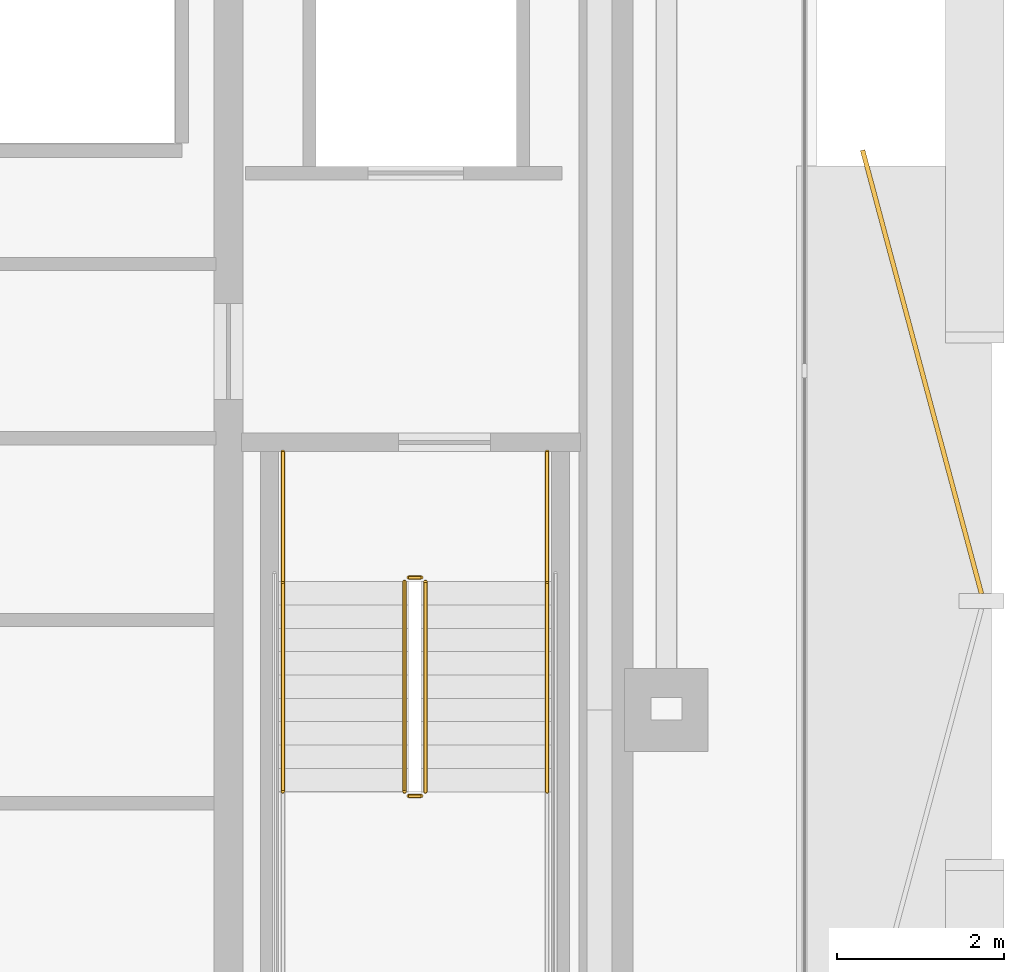
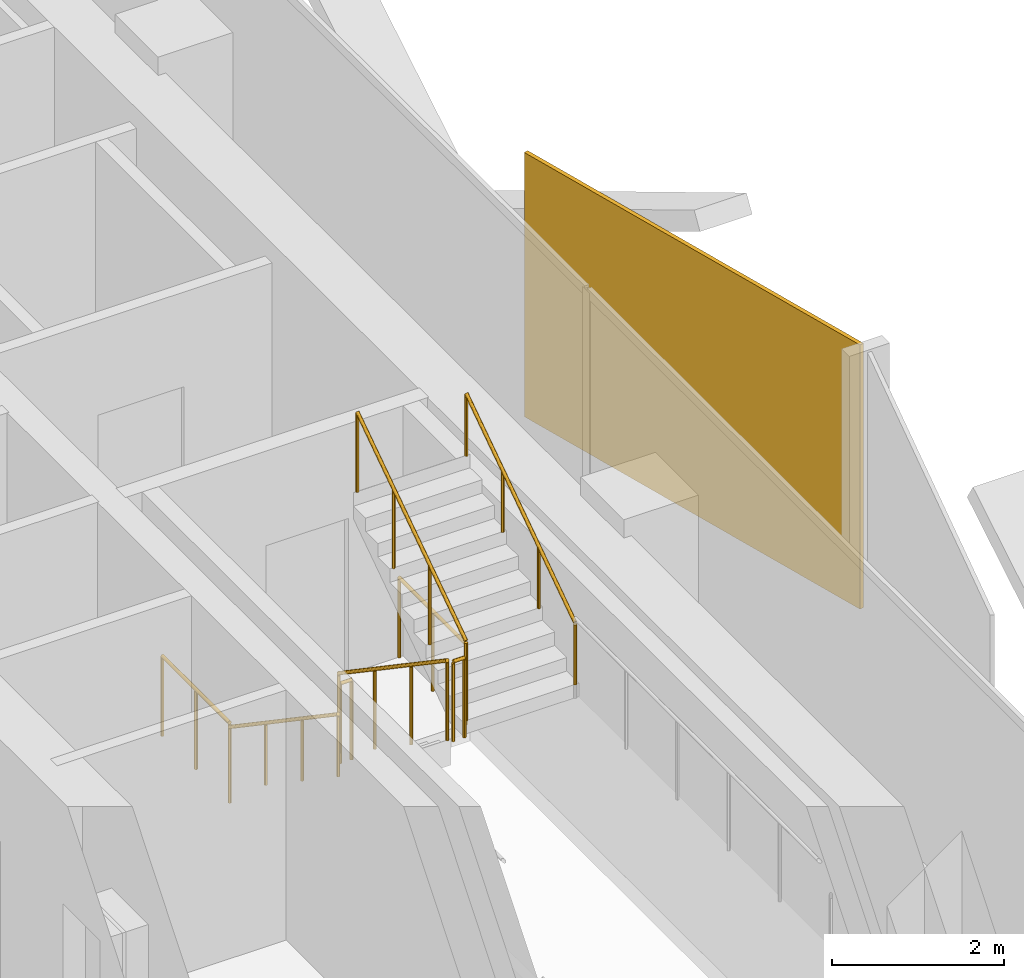
# One storey, part 14 of 16: 8 railings, 1 covering.
"""IFC4 building model written with IfcOpenShell, lengths in metres."""

from ifc_helpers import new_model, si_unit, direction, frame, origin, origin_2d, place, context, subcontext, project, spatial, rectangle, circle, extrude, material, layer, layer_set, type_object, element, save


model = new_model("IFC4")

# Units and contexts
model_context = context("Model", 3, precision=1e-05, world=origin(), true_north=direction((0.0, 1.0)))
body_context = subcontext(model_context, "Body", "Model", "MODEL_VIEW")
ifc_project = project(units=[si_unit("LENGTHUNIT", "METRE"), si_unit("AREAUNIT", "SQUARE_METRE"), si_unit("VOLUMEUNIT", "CUBIC_METRE"), si_unit("PLANEANGLEUNIT", "RADIAN"), si_unit("MASSUNIT", "GRAM", prefix="KILO")], contexts=[model_context])

# Site, building, storey
site_placement = place(None, origin())
site = spatial("IfcSite", under=ifc_project, at=site_placement, CompositionType="ELEMENT")
building_placement = place(site_placement, origin())
building = spatial("IfcBuilding", under=site, at=building_placement, Name="Khairoan Windgate Tower", CompositionType="ELEMENT")
storey_placement = place(building_placement, frame((0.0, 0.0, 184.0)))
storey = spatial("IfcBuildingStorey", under=building, at=storey_placement, Name="L42", CompositionType="ELEMENT", Elevation=184.0)

# Covering
ifc_material_1 = material(Name="Anodised Bronze Aluminium 6063-T6", Category="aluminium")
ifc_layer = layer(ifc_material_1, 0.054931640625, Name="Anodised Bronze Aluminium 6063-T6")
ifc_layer_set = layer_set([ifc_layer], Name="Anodised Bronze Aluminium 6063-T6")
covering_type = type_object("IfcCoveringType", Name="Perforated Bronze-Ceramic Folded Solar Screen Cladding BSC-1", PredefinedType="CLADDING", material=ifc_layer_set)
covering_placement = place(storey_placement, frame((23.8671875, -6.74560546875, -0.10009765625), z_axis=(0.0, 0.0, 1.0), x_axis=(0.258819045103, -0.965925826289, 0.0)))
element("IfcCovering", 1, at=covering_placement, inside=storey, type_object=covering_type, Name="L42 Folded Bronze Solar Screen Facet 280L", PredefinedType="CLADDING", context=body_context, shape_type="SweptSolid", body=[
    extrude(rectangle(XDim=5.507080078125, YDim=0.054931640625, at=origin_2d()), origin(), (0.0, 0.0, 1.0), 3.739990234375),
])

# Railings
ifc_material_2 = material(Name="Anodised Bronze Aluminium 6063-T6", Category="aluminium")
railing_type_1 = type_object("IfcRailingType", Name="Stair Wall Handrail SHR-900", PredefinedType="HANDRAIL", material=ifc_material_2)
railing_1_placement = place(storey_placement, frame((16.199951171875, -9.260009765625, 0.18994140625)))
element("IfcRailing", 2, at=railing_1_placement, inside=storey, type_object=railing_type_1, Name="L42 ST1 stair handrail 1", PredefinedType="HANDRAIL", context=body_context, shape_type="SweptSolid", body=[
    extrude(circle(Radius=0.02392578125, at=origin_2d()), frame((0.0, 0.0, 0.8759765625), z_axis=(0.0, -0.827483756001, 0.561489655786), x_axis=(1.0, 0.0, 0.0)), (0.0, 0.0, 1.0), 3.04541015625),
    extrude(circle(Radius=0.02099609375, at=origin_2d()), origin(), (0.0, 0.0, 1.0), 0.851806640625),
    extrude(circle(Radius=0.02099609375, at=origin_2d()), frame((0.0, -0.840087890625, 0.570068359375)), (0.0, 0.0, 1.0), 0.851806640625),
    extrude(circle(Radius=0.02099609375, at=origin_2d()), frame((0.0, -1.679931640625, 1.139892578125)), (0.0, 0.0, 1.0), 0.851806640625),
    extrude(circle(Radius=0.02099609375, at=origin_2d()), frame((0.0, -2.52001953125, 1.7099609375)), (0.0, 0.0, 1.0), 0.851806640625),
])
railing_2_placement = place(storey_placement, frame((19.3701171875, -11.780029296875, 2.090087890625)))
element("IfcRailing", 3, at=railing_2_placement, inside=storey, type_object=railing_type_1, Name="L42 ST1 stair handrail 2", PredefinedType="HANDRAIL", context=body_context, shape_type="SweptSolid", body=[
    extrude(circle(Radius=0.02392578125, at=origin_2d()), frame((0.0, 0.0, 0.8759765625), z_axis=(0.0, 0.827483756001, 0.561489655786), x_axis=(-1.0, 0.0, 0.0)), (0.0, 0.0, 1.0), 3.04541015625),
    extrude(circle(Radius=0.02099609375, at=origin_2d()), origin(), (0.0, 0.0, 1.0), 0.851806640625),
    extrude(circle(Radius=0.02099609375, at=origin_2d()), frame((0.0, 0.840087890625, 0.570068359375)), (0.0, 0.0, 1.0), 0.851806640625),
    extrude(circle(Radius=0.02099609375, at=origin_2d()), frame((0.0, 1.679931640625, 1.139892578125)), (0.0, 0.0, 1.0), 0.851806640625),
    extrude(circle(Radius=0.02099609375, at=origin_2d()), frame((0.0, 2.52001953125, 1.7099609375)), (0.0, 0.0, 1.0), 0.851806640625),
])
ifc_material_3 = material(Name="Steel S355", Category="steel")
railing_type_2 = type_object("IfcRailingType", Name="Stairwell Safety Guardrail SGR-1150", PredefinedType="GUARDRAIL", material=ifc_material_3)
railing_3_placement = place(storey_placement, frame((17.659912109375, -9.260009765625, 0.18994140625)))
element("IfcRailing", 4, at=railing_3_placement, inside=storey, type_object=railing_type_2, Name="L42 ST1 stair guard 1", PredefinedType="GUARDRAIL", context=body_context, shape_type="SweptSolid", body=[
    extrude(circle(Radius=0.02392578125, at=origin_2d()), frame((0.0, 0.0, 1.1259765625), z_axis=(0.0, -0.827483756001, 0.561489655786), x_axis=(1.0, 0.0, 0.0)), (0.0, 0.0, 1.0), 3.04541015625),
    extrude(circle(Radius=0.02099609375, at=origin_2d()), origin(), (0.0, 0.0, 1.0), 1.101806640625),
    extrude(circle(Radius=0.02099609375, at=origin_2d()), frame((0.0, -0.840087890625, 0.570068359375)), (0.0, 0.0, 1.0), 1.101806640625),
    extrude(circle(Radius=0.02099609375, at=origin_2d()), frame((0.0, -1.679931640625, 1.139892578125)), (0.0, 0.0, 1.0), 1.101806640625),
    extrude(circle(Radius=0.02099609375, at=origin_2d()), frame((0.0, -2.52001953125, 1.7099609375)), (0.0, 0.0, 1.0), 1.101806640625),
])
railing_4_placement = place(storey_placement, frame((17.7099609375, -11.830078125, 1.89990234375)))
element("IfcRailing", 5, at=railing_4_placement, inside=storey, type_object=railing_type_2, Name="L42 ST1 stair guard 2", PredefinedType="GUARDRAIL", context=body_context, shape_type="SweptSolid", body=[
    extrude(circle(Radius=0.02392578125, at=origin_2d()), frame((0.0, 0.0, 1.1259765625), z_axis=(1.0, 0.0, 0.0), x_axis=(0.0, 1.0, 0.0)), (0.0, 0.0, 1.0), 0.150146484375),
    extrude(circle(Radius=0.02099609375, at=origin_2d()), origin(), (0.0, 0.0, 1.0), 1.101806640625),
    extrude(circle(Radius=0.02099609375, at=origin_2d()), frame((0.150146484375, 0.0, 0.0)), (0.0, 0.0, 1.0), 1.101806640625),
])
railing_5_placement = place(storey_placement, frame((17.909912109375, -11.780029296875, 2.090087890625)))
element("IfcRailing", 6, at=railing_5_placement, inside=storey, type_object=railing_type_2, Name="L42 ST1 stair guard 6", PredefinedType="GUARDRAIL", context=body_context, shape_type="SweptSolid", body=[
    extrude(circle(Radius=0.02392578125, at=origin_2d()), frame((0.0, 0.0, 1.1259765625), z_axis=(0.0, 0.827483756001, 0.561489655786), x_axis=(-1.0, 0.0, 0.0)), (0.0, 0.0, 1.0), 3.04541015625),
    extrude(circle(Radius=0.02099609375, at=origin_2d()), origin(), (0.0, 0.0, 1.0), 1.101806640625),
    extrude(circle(Radius=0.02099609375, at=origin_2d()), frame((0.0, 0.840087890625, 0.570068359375)), (0.0, 0.0, 1.0), 1.101806640625),
    extrude(circle(Radius=0.02099609375, at=origin_2d()), frame((0.0, 1.679931640625, 1.139892578125)), (0.0, 0.0, 1.0), 1.101806640625),
    extrude(circle(Radius=0.02099609375, at=origin_2d()), frame((0.0, 2.52001953125, 1.7099609375)), (0.0, 0.0, 1.0), 1.101806640625),
])
railing_6_placement = place(storey_placement, frame((17.7099609375, -9.2099609375, 0.0)))
element("IfcRailing", 7, at=railing_6_placement, inside=storey, type_object=railing_type_2, Name="L42 ST1 stair guard 7", PredefinedType="GUARDRAIL", context=body_context, shape_type="SweptSolid", body=[
    extrude(circle(Radius=0.02392578125, at=origin_2d()), frame((0.0, 0.0, 1.1259765625), z_axis=(1.0, 0.0, 0.0), x_axis=(0.0, 1.0, 0.0)), (0.0, 0.0, 1.0), 0.150146484375),
    extrude(circle(Radius=0.02099609375, at=origin_2d()), origin(), (0.0, 0.0, 1.0), 1.101806640625),
    extrude(circle(Radius=0.02099609375, at=origin_2d()), frame((0.150146484375, 0.0, 0.0)), (0.0, 0.0, 1.0), 1.101806640625),
])
for number, where, name in (
    (8, (16.199951171875, -7.699951171875, 0.0), "L42 ST1 stair guard 8"),
    (9, (19.3701171875, -7.699951171875, 0.0), "L42 ST1 stair guard 9"),
):
    element("IfcRailing", number, at=place(storey_placement, frame(where)), inside=storey, type_object=railing_type_2, Name=name, PredefinedType="GUARDRAIL", context=body_context, shape_type="SweptSolid", body=[
        extrude(circle(Radius=0.02392578125, at=origin_2d()), frame((0.0, 0.0, 1.1259765625), z_axis=(0.0, -1.0, 0.0), x_axis=(1.0, 0.0, 0.0)), (0.0, 0.0, 1.0), 1.56005859375),
        extrude(circle(Radius=0.02099609375, at=origin_2d()), origin(), (0.0, 0.0, 1.0), 1.101806640625),
        extrude(circle(Radius=0.02099609375, at=origin_2d()), frame((0.0, -0.780029296875, 0.0)), (0.0, 0.0, 1.0), 1.101806640625),
        extrude(circle(Radius=0.02099609375, at=origin_2d()), frame((0.0, -1.56005859375, 0.0)), (0.0, 0.0, 1.0), 1.101806640625),
    ])

save(model, "model.ifc")
